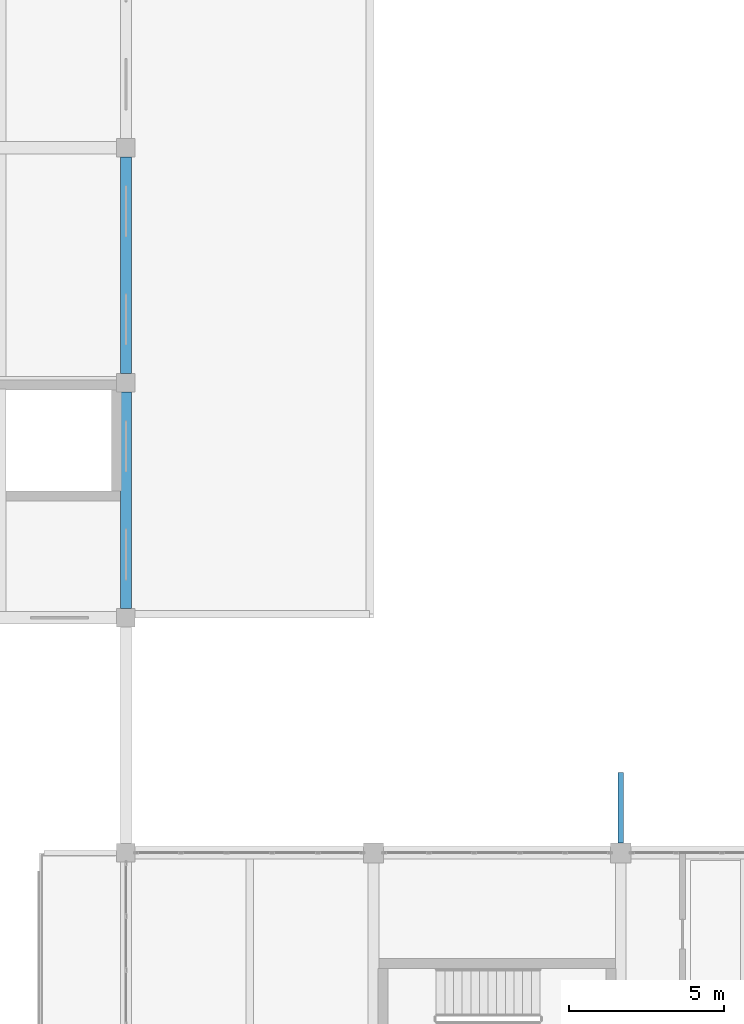
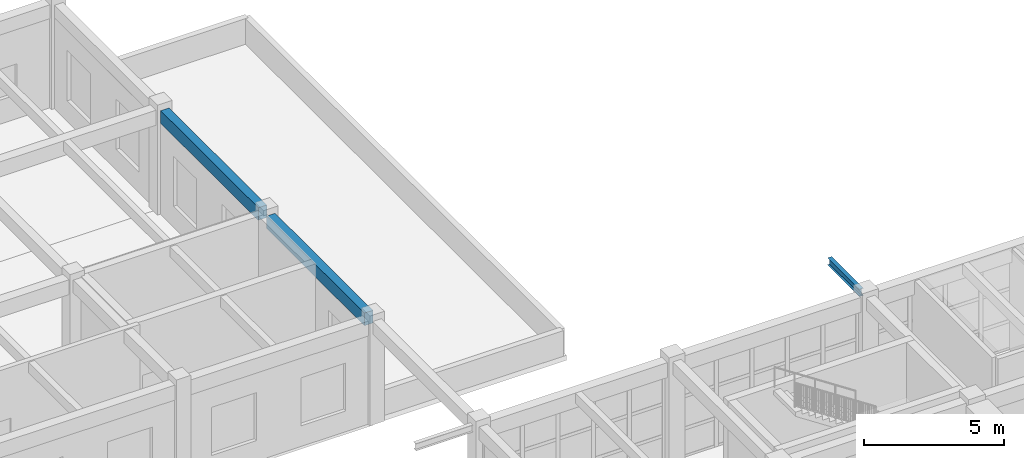
# One storey, part 18 of 50: 3 beams.
"""IFC4 building model written with IfcOpenShell, lengths in metres."""

import ifcopenshell
import ifcopenshell.guid

model = None  # the IFC model being written
_history = None  # IfcOwnerHistory: only IFC2X3 demands one
_inside = {}  # id of a spatial element -> (the spatial element, [elements in it])
_under = {}  # id of a project, library or spatial element -> (it, [spatial elements below it])
_declared = {}  # id of a project -> (the project, [libraries it declares])
_typed = {}  # id of a type object -> (the type object, [elements of that type])
_made_of = {}  # id of a material, layer set ... -> (it, [elements and type objects made of it])


def new_model(schema):
    """Start an empty IFC model of exactly this schema.

    Asked for "IFC4X3", IfcOpenShell would pick the latest addendum, in which some entities
    have other attributes; the version numbers below select the first issue.
    IFC2X3 requires an IfcOwnerHistory on every rooted entity: one is made here for all.
    """
    global model, _history
    if schema == "IFC4X3":
        model = ifcopenshell.file(schema_version=(4, 3, 0, 0))
    else:
        model = ifcopenshell.file(schema=schema)
    _inside.clear()
    _under.clear()
    _declared.clear()
    _typed.clear()
    _made_of.clear()
    _history = None
    if model.schema == "IFC2X3":
        org = make("IfcOrganization", Name="unknown")
        user = make(
            "IfcPersonAndOrganization",
            ThePerson=make("IfcPerson", FamilyName="unknown"),
            TheOrganization=org,
        )
        app = make(
            "IfcApplication",
            ApplicationDeveloper=org,
            Version="unknown",
            ApplicationFullName="unknown",
            ApplicationIdentifier="unknown",
        )
        _history = make(
            "IfcOwnerHistory",
            OwningUser=user,
            OwningApplication=app,
            ChangeAction="ADDED",
            CreationDate=0,
        )
    return model


def make(cls, **values):
    """One entity of the class cls with the attributes given. An attribute that is None is left unset."""
    return model.create_entity(
        cls, **{name: value for name, value in values.items() if value is not None}
    )


def rooted(cls, **values):
    """An entity with a GlobalId (a new one), such as an element, a storey or a relation."""
    return make(cls, GlobalId=ifcopenshell.guid.new(), OwnerHistory=_history, **values)


def si_unit(unit_type, name, prefix=None):
    """IfcSIUnit, for example si_unit("LENGTHUNIT", "METRE", prefix="MILLI")."""
    return make("IfcSIUnit", UnitType=unit_type, Prefix=prefix, Name=name)


def assignment(units):
    """IfcUnitAssignment: the units of a project."""
    return None if units is None else make("IfcUnitAssignment", Units=units)


def point(xyz):
    """IfcCartesianPoint."""
    return None if xyz is None else make("IfcCartesianPoint", Coordinates=xyz)


def direction(xyz):
    """IfcDirection."""
    return None if xyz is None else make("IfcDirection", DirectionRatios=xyz)


def frame(location, z_axis=None, x_axis=None):
    """IfcAxis2Placement3D, a coordinate frame: its origin and axes. An axis left out is left unset."""
    return make(
        "IfcAxis2Placement3D",
        Location=point(location),
        Axis=direction(z_axis),
        RefDirection=direction(x_axis),
    )


def frame_2d(location, x_axis=None):
    """IfcAxis2Placement2D, a coordinate frame in the plane: its origin and x axis."""
    return make(
        "IfcAxis2Placement2D", Location=point(location), RefDirection=direction(x_axis)
    )


def origin():
    """The frame at (0, 0, 0) with its axes left unset."""
    return frame((0.0, 0.0, 0.0))


def origin_2d():
    """The frame at (0, 0) in the plane with its x axis left unset."""
    return frame_2d((0.0, 0.0))


def place(relative_to, where):
    """IfcLocalPlacement: puts the frame where relative to a parent placement (None: the world)."""
    return make(
        "IfcLocalPlacement", PlacementRelTo=relative_to, RelativePlacement=where
    )


def context(
    kind, dimensions, precision=None, world=None, true_north=None, identifier=None
):
    """IfcGeometricRepresentationContext, for example the 3D "Model" context."""
    return make(
        "IfcGeometricRepresentationContext",
        ContextIdentifier=identifier,
        ContextType=kind,
        CoordinateSpaceDimension=dimensions,
        Precision=precision,
        WorldCoordinateSystem=world,
        TrueNorth=true_north,
    )


def subcontext(parent, identifier, kind, view, scale=None):
    """IfcGeometricRepresentationSubContext, for example "Body" below "Model"."""
    return make(
        "IfcGeometricRepresentationSubContext",
        ContextIdentifier=identifier,
        ContextType=kind,
        ParentContext=parent,
        TargetScale=scale,
        TargetView=view,
    )


def project(units=None, contexts=None):
    """IfcProject with its units and contexts."""
    return rooted(
        "IfcProject",
        Name="project",
        RepresentationContexts=contexts,
        UnitsInContext=assignment(units),
    )


def spatial(cls, under=None, at=None, **own):
    """A site, building, storey or space (cls), placed at a placement, below another one or the project."""
    s = rooted(cls, ObjectPlacement=at, **own)
    if under is not None:
        _under.setdefault(under.id(), (under, []))[1].append(s)
    return s


def profile(cls, at=None, kind="AREA", **sizes):
    """A parametric profile (cls). Its sizes go by their IFC names, for example OverallWidth=200.0."""
    return make(cls, ProfileType=kind, Position=at, **sizes)


def rectangle(**sizes):
    """IfcRectangleProfileDef."""
    return profile("IfcRectangleProfileDef", **sizes)


def i_section(**sizes):
    """IfcIShapeProfileDef."""
    return profile("IfcIShapeProfileDef", **sizes)


def extrude(swept, where, along, depth):
    """IfcExtrudedAreaSolid: the profile swept, set in the frame where, extruded along a direction by depth."""
    return make(
        "IfcExtrudedAreaSolid",
        SweptArea=swept,
        Position=where,
        ExtrudedDirection=direction(along),
        Depth=depth,
    )


def shape(context_of_items, identifier, shape_type, items):
    """IfcShapeRepresentation: the items that make up one representation, for example the "Body"."""
    return make(
        "IfcShapeRepresentation",
        ContextOfItems=context_of_items,
        RepresentationIdentifier=identifier,
        RepresentationType=shape_type,
        Items=items,
    )


def material(Name=None, Category=None):
    """IfcMaterial."""
    return make("IfcMaterial", Name=Name, Category=Category)


def material_profile(
    of_material, cross_section, Name=None, Category=None, Priority=None
):
    """IfcMaterialProfile: a cross section and its material."""
    return make(
        "IfcMaterialProfile",
        Name=Name,
        Material=of_material,
        Profile=cross_section,
        Priority=Priority,
        Category=Category,
    )


def profile_set(profiles, Name=None, composite=None):
    """IfcMaterialProfileSet."""
    return make(
        "IfcMaterialProfileSet",
        Name=Name,
        MaterialProfiles=profiles,
        CompositeProfile=composite,
    )


def made_of(thing, what):
    """Note that an element or type object is made of a material, layer set ...; save() writes the relation."""
    if what is not None:
        _made_of.setdefault(what.id(), (what, []))[1].append(thing)
    return thing


def type_object(cls, material=None, **own):
    """A type object (cls), such as IfcWallType, which elements share."""
    return made_of(rooted(cls, **own), material)


def element(
    cls,
    number,
    at=None,
    inside=None,
    cuts=None,
    type_object=None,
    material=None,
    context=None,
    identifier="Body",
    shape_type=None,
    held_by="IfcProductDefinitionShape",
    body=None,
    shapes=None,
    **own,
):
    """One element of the class cls, such as IfcWall. Its Tag is "e" and its number.

    at: its placement. inside: the storey or other place that contains it. cuts: it is an
    opening in that element (IfcRelVoidsElement). A single representation is given by context,
    identifier, shape_type and body (its items); several are given by shapes. held_by: the class
    of the entity that holds the representations. save() writes the other relations.
    """
    e = rooted(cls, Tag="e%d" % number, ObjectPlacement=at, **own)
    if body is not None:
        shapes = [shape(context, identifier, shape_type, body)]
    if shapes is not None:
        e.Representation = make(held_by, Representations=shapes)
    if inside is not None:
        _inside.setdefault(inside.id(), (inside, []))[1].append(e)
    if cuts is not None:
        rooted(
            "IfcRelVoidsElement", RelatingBuildingElement=cuts, RelatedOpeningElement=e
        )
    if type_object is not None:
        _typed.setdefault(type_object.id(), (type_object, []))[1].append(e)
    return made_of(e, material)


def aggregate(whole, parts):
    """IfcRelAggregates: a whole, such as a stair, and the parts it consists of."""
    return rooted("IfcRelAggregates", RelatingObject=whole, RelatedObjects=parts)


def save(model, path):
    """Write the relations noted so far, then the file.

    IfcRelAggregates (storeys below a building ...), IfcRelContainedInSpatialStructure (elements
    in a storey), IfcRelDefinesByType, IfcRelAssociatesMaterial and IfcRelDeclares: one each for
    every whole, place, type object, material and project.
    """
    for whole, parts in _under.values():
        aggregate(whole, parts)
    for where, things in _inside.values():
        rooted(
            "IfcRelContainedInSpatialStructure",
            RelatedElements=things,
            RelatingStructure=where,
        )
    for kind, things in _typed.values():
        rooted("IfcRelDefinesByType", RelatedObjects=things, RelatingType=kind)
    for what, things in _made_of.values():
        rooted("IfcRelAssociatesMaterial", RelatedObjects=things, RelatingMaterial=what)
    for by, libraries in _declared.values():
        rooted("IfcRelDeclares", RelatingContext=by, RelatedDefinitions=libraries)
    model.write(path)


model = new_model("IFC4")

# Units and contexts
model_context = context("Model", 3, precision=1e-05, world=origin(), true_north=direction((0.0, 1.0)))
body_context = subcontext(model_context, "Body", "Model", "MODEL_VIEW")
ifc_project = project(units=[si_unit("LENGTHUNIT", "METRE"), si_unit("AREAUNIT", "SQUARE_METRE"), si_unit("VOLUMEUNIT", "CUBIC_METRE"), si_unit("PLANEANGLEUNIT", "RADIAN"), si_unit("MASSUNIT", "GRAM", prefix="KILO")], contexts=[model_context])

# Site, building, storey
site_placement = place(None, origin())
site = spatial("IfcSite", under=ifc_project, at=site_placement, CompositionType="ELEMENT")
building_placement = place(site_placement, origin())
building = spatial("IfcBuilding", under=site, at=building_placement, Name="Zantavel Square City Hall", CompositionType="ELEMENT")
storey_placement = place(building_placement, frame((0.0, 0.0, 18.89990234375)))
storey = spatial("IfcBuildingStorey", under=building, at=storey_placement, Name="L05", CompositionType="ELEMENT", Elevation=18.89990234375)

# Beams
ifc_material_1 = material(Name="Concrete C35/45", Category="concrete")
ifc_material_profile_1 = material_profile(ifc_material_1, rectangle(XDim=0.35009765625, YDim=0.550048828125, at=origin_2d()), Name="RC 350x550")
ifc_profile_set_1 = profile_set([ifc_material_profile_1], Name="Concrete C35/45")
beam_type_1 = type_object("IfcBeamType", Name="Secondary Beam RC 350x550 C35/45", PredefinedType="BEAM", material=ifc_profile_set_1)
for number, where, z_axis, x_axis, name in (
    (1, (56.0, 76.300048828125, 4.2451171875), (0.0, 1.0, 0.0), (-1.0, 0.0, 0.0), "L05 Beam BMY-L05-0560-0760"),
    (2, (56.0, 83.89990234375, 4.2451171875), (0.0, 1.0, 0.0), (-1.0, 0.0, 0.0), "L05 Beam BMY-L05-0560-0836"),
):
    element("IfcBeam", number, at=place(storey_placement, frame(where, z_axis=z_axis, x_axis=x_axis)), inside=storey, type_object=beam_type_1, Name=name, PredefinedType="BEAM", context=body_context, shape_type="SweptSolid", body=[
        extrude(rectangle(XDim=0.35009765625, YDim=0.550048828125, at=origin_2d()), origin(), (0.0, 0.0, 1.0), 7.0),
    ])
ifc_material_2 = material(Name="Steel ASTM A992 Grade 50", Category="steel")
ifc_material_profile_2 = material_profile(ifc_material_2, i_section(OverallWidth=0.1669921875, OverallDepth=0.31689453125, WebThickness=0.007568359375, FlangeThickness=0.01318359375, at=origin_2d()), Name="W310x52")
ifc_profile_set_2 = profile_set([ifc_material_profile_2], Name="Steel ASTM A992 Grade 50")
beam_type_2 = type_object("IfcBeamType", Name="Tray Corner Cantilever Outrigger W310x52", PredefinedType="BEAM", material=ifc_profile_set_2)
beam_placement = place(storey_placement, frame((72.0, 68.72509765625, 4.361572265625), z_axis=(0.0, 1.0, 0.0), x_axis=(-1.0, 0.0, 0.0)))
element("IfcBeam", 3, at=beam_placement, inside=storey, type_object=beam_type_2, Name="L05 Cantera Tray Outrigger N72", PredefinedType="BEAM", context=body_context, shape_type="SweptSolid", body=[
    extrude(i_section(OverallWidth=0.1669921875, OverallDepth=0.31689453125, WebThickness=0.007568359375, FlangeThickness=0.01318359375, at=origin_2d()), origin(), (0.0, 0.0, 1.0), 2.27490234375),
])

save(model, "model.ifc")
